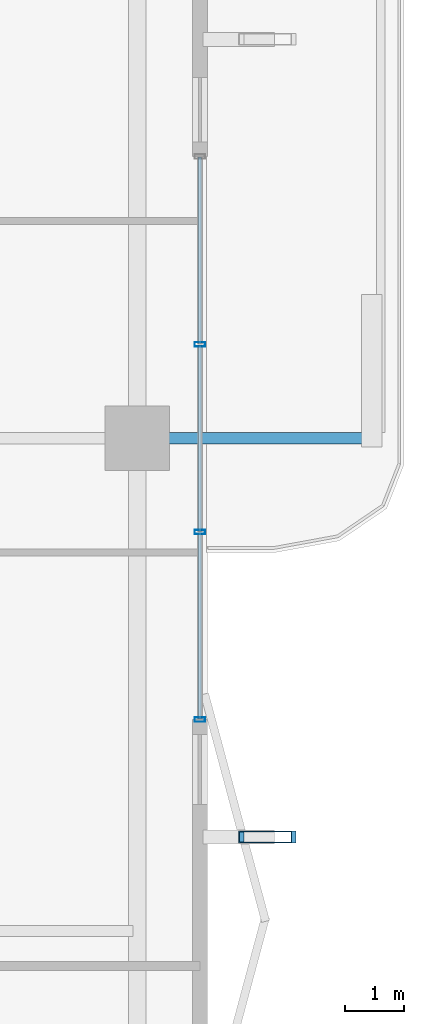
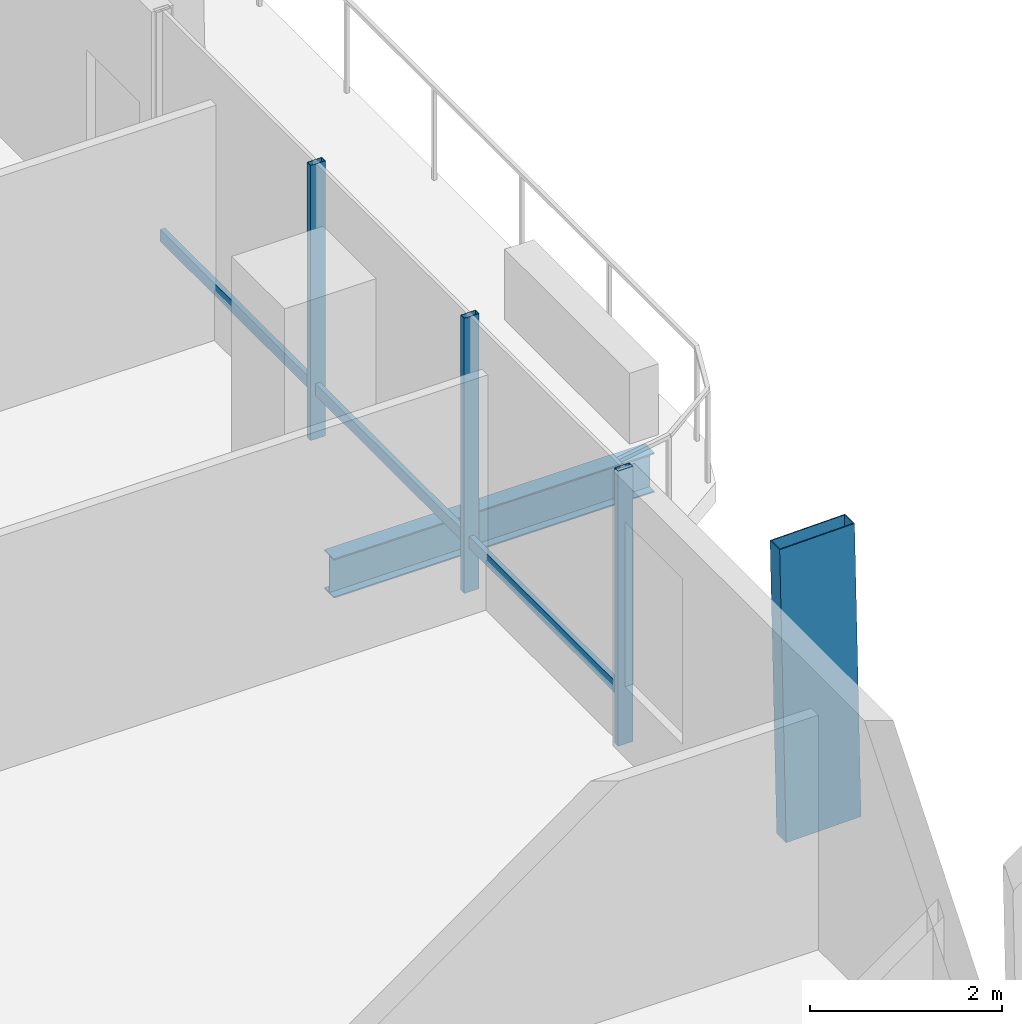
# One storey, part 10 of 24: 7 members, 1 beam, 1 element without a shape of its own.
"""IFC4 building model written with IfcOpenShell, lengths in metres."""

import ifcopenshell
import ifcopenshell.guid

model = None  # the IFC model being written
_history = None  # IfcOwnerHistory: only IFC2X3 demands one
_inside = {}  # id of a spatial element -> (the spatial element, [elements in it])
_under = {}  # id of a project, library or spatial element -> (it, [spatial elements below it])
_declared = {}  # id of a project -> (the project, [libraries it declares])
_typed = {}  # id of a type object -> (the type object, [elements of that type])
_made_of = {}  # id of a material, layer set ... -> (it, [elements and type objects made of it])


def new_model(schema):
    """Start an empty IFC model of exactly this schema.

    Asked for "IFC4X3", IfcOpenShell would pick the latest addendum, in which some entities
    have other attributes; the version numbers below select the first issue.
    IFC2X3 requires an IfcOwnerHistory on every rooted entity: one is made here for all.
    """
    global model, _history
    if schema == "IFC4X3":
        model = ifcopenshell.file(schema_version=(4, 3, 0, 0))
    else:
        model = ifcopenshell.file(schema=schema)
    _inside.clear()
    _under.clear()
    _declared.clear()
    _typed.clear()
    _made_of.clear()
    _history = None
    if model.schema == "IFC2X3":
        org = make("IfcOrganization", Name="unknown")
        user = make(
            "IfcPersonAndOrganization",
            ThePerson=make("IfcPerson", FamilyName="unknown"),
            TheOrganization=org,
        )
        app = make(
            "IfcApplication",
            ApplicationDeveloper=org,
            Version="unknown",
            ApplicationFullName="unknown",
            ApplicationIdentifier="unknown",
        )
        _history = make(
            "IfcOwnerHistory",
            OwningUser=user,
            OwningApplication=app,
            ChangeAction="ADDED",
            CreationDate=0,
        )
    return model


def make(cls, **values):
    """One entity of the class cls with the attributes given. An attribute that is None is left unset."""
    return model.create_entity(
        cls, **{name: value for name, value in values.items() if value is not None}
    )


def rooted(cls, **values):
    """An entity with a GlobalId (a new one), such as an element, a storey or a relation."""
    return make(cls, GlobalId=ifcopenshell.guid.new(), OwnerHistory=_history, **values)


def si_unit(unit_type, name, prefix=None):
    """IfcSIUnit, for example si_unit("LENGTHUNIT", "METRE", prefix="MILLI")."""
    return make("IfcSIUnit", UnitType=unit_type, Prefix=prefix, Name=name)


def assignment(units):
    """IfcUnitAssignment: the units of a project."""
    return None if units is None else make("IfcUnitAssignment", Units=units)


def point(xyz):
    """IfcCartesianPoint."""
    return None if xyz is None else make("IfcCartesianPoint", Coordinates=xyz)


def direction(xyz):
    """IfcDirection."""
    return None if xyz is None else make("IfcDirection", DirectionRatios=xyz)


def frame(location, z_axis=None, x_axis=None):
    """IfcAxis2Placement3D, a coordinate frame: its origin and axes. An axis left out is left unset."""
    return make(
        "IfcAxis2Placement3D",
        Location=point(location),
        Axis=direction(z_axis),
        RefDirection=direction(x_axis),
    )


def frame_2d(location, x_axis=None):
    """IfcAxis2Placement2D, a coordinate frame in the plane: its origin and x axis."""
    return make(
        "IfcAxis2Placement2D", Location=point(location), RefDirection=direction(x_axis)
    )


def origin():
    """The frame at (0, 0, 0) with its axes left unset."""
    return frame((0.0, 0.0, 0.0))


def origin_2d():
    """The frame at (0, 0) in the plane with its x axis left unset."""
    return frame_2d((0.0, 0.0))


def place(relative_to, where):
    """IfcLocalPlacement: puts the frame where relative to a parent placement (None: the world)."""
    return make(
        "IfcLocalPlacement", PlacementRelTo=relative_to, RelativePlacement=where
    )


def context(
    kind, dimensions, precision=None, world=None, true_north=None, identifier=None
):
    """IfcGeometricRepresentationContext, for example the 3D "Model" context."""
    return make(
        "IfcGeometricRepresentationContext",
        ContextIdentifier=identifier,
        ContextType=kind,
        CoordinateSpaceDimension=dimensions,
        Precision=precision,
        WorldCoordinateSystem=world,
        TrueNorth=true_north,
    )


def subcontext(parent, identifier, kind, view, scale=None):
    """IfcGeometricRepresentationSubContext, for example "Body" below "Model"."""
    return make(
        "IfcGeometricRepresentationSubContext",
        ContextIdentifier=identifier,
        ContextType=kind,
        ParentContext=parent,
        TargetScale=scale,
        TargetView=view,
    )


def project(units=None, contexts=None):
    """IfcProject with its units and contexts."""
    return rooted(
        "IfcProject",
        Name="project",
        RepresentationContexts=contexts,
        UnitsInContext=assignment(units),
    )


def spatial(cls, under=None, at=None, **own):
    """A site, building, storey or space (cls), placed at a placement, below another one or the project."""
    s = rooted(cls, ObjectPlacement=at, **own)
    if under is not None:
        _under.setdefault(under.id(), (under, []))[1].append(s)
    return s


def profile(cls, at=None, kind="AREA", **sizes):
    """A parametric profile (cls). Its sizes go by their IFC names, for example OverallWidth=200.0."""
    return make(cls, ProfileType=kind, Position=at, **sizes)


def hollow_rectangle(**sizes):
    """IfcRectangleHollowProfileDef."""
    return profile("IfcRectangleHollowProfileDef", **sizes)


def i_section(**sizes):
    """IfcIShapeProfileDef."""
    return profile("IfcIShapeProfileDef", **sizes)


def extrude(swept, where, along, depth):
    """IfcExtrudedAreaSolid: the profile swept, set in the frame where, extruded along a direction by depth."""
    return make(
        "IfcExtrudedAreaSolid",
        SweptArea=swept,
        Position=where,
        ExtrudedDirection=direction(along),
        Depth=depth,
    )


def shape(context_of_items, identifier, shape_type, items):
    """IfcShapeRepresentation: the items that make up one representation, for example the "Body"."""
    return make(
        "IfcShapeRepresentation",
        ContextOfItems=context_of_items,
        RepresentationIdentifier=identifier,
        RepresentationType=shape_type,
        Items=items,
    )


def material(Name=None, Category=None):
    """IfcMaterial."""
    return make("IfcMaterial", Name=Name, Category=Category)


def layer(
    of_material, thickness, ventilated=None, Name=None, Category=None, Priority=None
):
    """IfcMaterialLayer: one layer of a wall or slab, of a material (None: an air gap)."""
    return make(
        "IfcMaterialLayer",
        Material=of_material,
        LayerThickness=thickness,
        IsVentilated=ventilated,
        Name=Name,
        Category=Category,
        Priority=Priority,
    )


def layer_set(layers, Name=None):
    """IfcMaterialLayerSet."""
    return make("IfcMaterialLayerSet", MaterialLayers=layers, LayerSetName=Name)


def material_profile(
    of_material, cross_section, Name=None, Category=None, Priority=None
):
    """IfcMaterialProfile: a cross section and its material."""
    return make(
        "IfcMaterialProfile",
        Name=Name,
        Material=of_material,
        Profile=cross_section,
        Priority=Priority,
        Category=Category,
    )


def profile_set(profiles, Name=None, composite=None):
    """IfcMaterialProfileSet."""
    return make(
        "IfcMaterialProfileSet",
        Name=Name,
        MaterialProfiles=profiles,
        CompositeProfile=composite,
    )


def made_of(thing, what):
    """Note that an element or type object is made of a material, layer set ...; save() writes the relation."""
    if what is not None:
        _made_of.setdefault(what.id(), (what, []))[1].append(thing)
    return thing


def type_object(cls, material=None, **own):
    """A type object (cls), such as IfcWallType, which elements share."""
    return made_of(rooted(cls, **own), material)


def element(
    cls,
    number,
    at=None,
    inside=None,
    cuts=None,
    type_object=None,
    material=None,
    context=None,
    identifier="Body",
    shape_type=None,
    held_by="IfcProductDefinitionShape",
    body=None,
    shapes=None,
    **own,
):
    """One element of the class cls, such as IfcWall. Its Tag is "e" and its number.

    at: its placement. inside: the storey or other place that contains it. cuts: it is an
    opening in that element (IfcRelVoidsElement). A single representation is given by context,
    identifier, shape_type and body (its items); several are given by shapes. held_by: the class
    of the entity that holds the representations. save() writes the other relations.
    """
    e = rooted(cls, Tag="e%d" % number, ObjectPlacement=at, **own)
    if body is not None:
        shapes = [shape(context, identifier, shape_type, body)]
    if shapes is not None:
        e.Representation = make(held_by, Representations=shapes)
    if inside is not None:
        _inside.setdefault(inside.id(), (inside, []))[1].append(e)
    if cuts is not None:
        rooted(
            "IfcRelVoidsElement", RelatingBuildingElement=cuts, RelatedOpeningElement=e
        )
    if type_object is not None:
        _typed.setdefault(type_object.id(), (type_object, []))[1].append(e)
    return made_of(e, material)


def aggregate(whole, parts):
    """IfcRelAggregates: a whole, such as a stair, and the parts it consists of."""
    return rooted("IfcRelAggregates", RelatingObject=whole, RelatedObjects=parts)


def save(model, path):
    """Write the relations noted so far, then the file.

    IfcRelAggregates (storeys below a building ...), IfcRelContainedInSpatialStructure (elements
    in a storey), IfcRelDefinesByType, IfcRelAssociatesMaterial and IfcRelDeclares: one each for
    every whole, place, type object, material and project.
    """
    for whole, parts in _under.values():
        aggregate(whole, parts)
    for where, things in _inside.values():
        rooted(
            "IfcRelContainedInSpatialStructure",
            RelatedElements=things,
            RelatingStructure=where,
        )
    for kind, things in _typed.values():
        rooted("IfcRelDefinesByType", RelatedObjects=things, RelatingType=kind)
    for what, things in _made_of.values():
        rooted("IfcRelAssociatesMaterial", RelatedObjects=things, RelatingMaterial=what)
    for by, libraries in _declared.values():
        rooted("IfcRelDeclares", RelatingContext=by, RelatedDefinitions=libraries)
    model.write(path)


model = new_model("IFC4")

# Units and contexts
model_context = context("Model", 3, precision=1e-05, world=origin(), true_north=direction((0.0, 1.0)))
body_context = subcontext(model_context, "Body", "Model", "MODEL_VIEW")
ifc_project = project(units=[si_unit("LENGTHUNIT", "METRE"), si_unit("AREAUNIT", "SQUARE_METRE"), si_unit("VOLUMEUNIT", "CUBIC_METRE"), si_unit("PLANEANGLEUNIT", "RADIAN"), si_unit("MASSUNIT", "GRAM", prefix="KILO")], contexts=[model_context])

# Site, building, storey
site_placement = place(None, origin())
site = spatial("IfcSite", under=ifc_project, at=site_placement, CompositionType="ELEMENT")
building_placement = place(site_placement, origin())
building = spatial("IfcBuilding", under=site, at=building_placement, Name="Belovzor Exchange Tower", CompositionType="ELEMENT")
storey_placement = place(building_placement, frame((0.0, 0.0, 168.300048828125)))
storey = spatial("IfcBuildingStorey", under=building, at=storey_placement, Name="L41", CompositionType="ELEMENT", Elevation=168.300048828125)

# Beam
ifc_material_1 = material(Name="Steel S355", Category="steel")
ifc_material_profile_1 = material_profile(ifc_material_1, i_section(OverallWidth=0.199951171875, OverallDepth=0.5, WebThickness=0.01025390625, FlangeThickness=0.01611328125, at=origin_2d()))
ifc_profile_set_1 = profile_set([ifc_material_profile_1], Name="Steel S355")
beam_type = type_object("IfcBeamType", Name="Planted Balcony Cantilever Beam IPE 500", PredefinedType="BEAM", material=ifc_profile_set_1)
beam_placement = place(storey_placement, frame((52.202880859375, 28.800048828125, -0.505126953125), z_axis=(1.0, 0.0, 0.0), x_axis=(0.0, 1.0, 0.0)))
element("IfcBeam", 1, at=beam_placement, inside=storey, type_object=beam_type, Name="BC-500 Planted Balcony Cantilever Beam IPE 500", PredefinedType="BEAM", context=body_context, shape_type="SweptSolid", body=[
    extrude(i_section(OverallWidth=0.199951171875, OverallDepth=0.5, WebThickness=0.01025390625, FlangeThickness=0.01611328125, at=origin_2d()), origin(), (0.0, 0.0, 1.0), 3.85009765625),
])

# Member
ifc_material_2 = material(Name="Extruded Architectural Terracotta on Steel S355 Carrier", Category="masonry")
ifc_material_profile_2 = material_profile(ifc_material_2, hollow_rectangle(XDim=0.199951171875, YDim=0.89990234375, WallThickness=0.011962890625, at=origin_2d()))
ifc_profile_set_2 = profile_set([ifc_material_profile_2], Name="Extruded Architectural Terracotta on Steel S355 Carrier")
member_type_1 = type_object("IfcMemberType", Name="Sweeping Terracotta Baguette Fin Assembly 1250", PredefinedType="USERDEFINED", material=ifc_profile_set_2)
member_1_placement = place(storey_placement, frame((54.159912109375, 22.0, -0.255126953125), z_axis=(-0.0210239979, 0.0, 0.999778971329), x_axis=(0.0, -1.0, 0.0)))
element("IfcMember", 2, at=member_1_placement, inside=storey, type_object=member_type_1, Name="FIN-TC125 Terracotta Facade Fin L41 E2", ObjectType="FIN", PredefinedType="USERDEFINED", context=body_context, shape_type="SweptSolid", body=[
    extrude(hollow_rectangle(XDim=0.199951171875, YDim=0.89990234375, WallThickness=0.011962890625, at=origin_2d()), origin(), (0.0, 0.0, 1.0), 3.750732421875),
])

# Curtain wall, members
ifc_material_3 = material(Name="Anodised Aluminium Framing", Category="aluminium")
ifc_layer = layer(ifc_material_3, 0.179931640625)
ifc_layer_set = layer_set([ifc_layer], Name="Anodised Aluminium Framing")
curtain_wall_type = type_object("IfcCurtainWallType", Name="Recessed Loggia Low-Iron Triple-Glazed Curtain Wall", PredefinedType="NOTDEFINED", material=ifc_layer_set)
curtain_wall_placement = place(storey_placement, origin())
curtain_wall = element("IfcCurtainWall", 3, at=curtain_wall_placement, inside=storey, type_object=curtain_wall_type, Name="CW3 Recessed Loggia Low-Iron Triple-Glazed Curtain Wall L41", PredefinedType="NOTDEFINED")
ifc_material_4 = material(Name="Steel S355", Category="steel")
ifc_material_profile_3 = material_profile(ifc_material_4, hollow_rectangle(XDim=0.074951171875, YDim=0.179931640625, WallThickness=0.0048828125, at=origin_2d()))
ifc_profile_set_3 = profile_set([ifc_material_profile_3], Name="Steel S355")
member_type_2 = type_object("IfcMemberType", Name="Thermally Broken Curtain Wall Mullion 180x75", PredefinedType="MULLION", material=ifc_profile_set_3)
member_2_placement = place(storey_placement, frame((52.969970703125, 30.39990234375, 0.0), z_axis=(0.0, 0.0, 1.0), x_axis=(0.0, -1.0, 0.0)))
member_2 = element("IfcMember", 4, at=member_2_placement, type_object=member_type_2, Name="CW-M180 Curtain Wall Mullion 2", PredefinedType="MULLION", context=body_context, shape_type="SweptSolid", body=[
    extrude(hollow_rectangle(XDim=0.074951171875, YDim=0.179931640625, WallThickness=0.0048828125, at=origin_2d()), origin(), (0.0, 0.0, 1.0), 3.494873046875),
])
member_3_placement = place(storey_placement, frame((52.969970703125, 27.199951171875, 0.0), z_axis=(0.0, 0.0, 1.0), x_axis=(0.0, -1.0, 0.0)))
member_3 = element("IfcMember", 5, at=member_3_placement, type_object=member_type_2, Name="CW-M180 Curtain Wall Mullion 3", PredefinedType="MULLION", context=body_context, shape_type="SweptSolid", body=[
    extrude(hollow_rectangle(XDim=0.074951171875, YDim=0.179931640625, WallThickness=0.0048828125, at=origin_2d()), origin(), (0.0, 0.0, 1.0), 3.494873046875),
])
member_4_placement = place(storey_placement, frame((52.969970703125, 24.0, 0.0), z_axis=(0.0, 0.0, 1.0), x_axis=(0.0, -1.0, 0.0)))
member_4 = element("IfcMember", 6, at=member_4_placement, type_object=member_type_2, Name="CW-M180 Curtain Wall Mullion 4", PredefinedType="MULLION", context=body_context, shape_type="SweptSolid", body=[
    extrude(hollow_rectangle(XDim=0.074951171875, YDim=0.179931640625, WallThickness=0.0048828125, at=origin_2d()), origin(), (0.0, 0.0, 1.0), 3.494873046875),
])
ifc_material_5 = material(Name="Steel S355", Category="steel")
ifc_material_profile_4 = material_profile(ifc_material_5, hollow_rectangle(XDim=0.06005859375, YDim=0.14990234375, WallThickness=0.00390625, at=origin_2d()))
ifc_profile_set_4 = profile_set([ifc_material_profile_4], Name="Steel S355")
member_type_3 = type_object("IfcMemberType", Name="Thermally Broken Curtain Wall Transom 150x60", PredefinedType="USERDEFINED", material=ifc_profile_set_4)
member_5_placement = place(storey_placement, frame((52.969970703125, 33.592041015625, 0.62890625), z_axis=(0.0, -1.0, 0.0), x_axis=(1.0, 0.0, 0.0)))
member_5 = element("IfcMember", 7, at=member_5_placement, type_object=member_type_3, Name="CW-T150 Curtain Wall Transom 1", ObjectType="TRANSOM", PredefinedType="USERDEFINED", context=body_context, shape_type="SweptSolid", body=[
    extrude(hollow_rectangle(XDim=0.06005859375, YDim=0.14990234375, WallThickness=0.00390625, at=origin_2d()), origin(), (0.0, 0.0, 1.0), 3.18408203125),
])
member_6_placement = place(storey_placement, frame((52.969970703125, 30.39208984375, 0.62890625), z_axis=(0.0, -1.0, 0.0), x_axis=(1.0, 0.0, 0.0)))
member_6 = element("IfcMember", 8, at=member_6_placement, type_object=member_type_3, Name="CW-T150 Curtain Wall Transom 2", ObjectType="TRANSOM", PredefinedType="USERDEFINED", context=body_context, shape_type="SweptSolid", body=[
    extrude(hollow_rectangle(XDim=0.06005859375, YDim=0.14990234375, WallThickness=0.00390625, at=origin_2d()), origin(), (0.0, 0.0, 1.0), 3.18408203125),
])
member_7_placement = place(storey_placement, frame((52.969970703125, 27.19189453125, 0.62890625), z_axis=(0.0, -1.0, 0.0), x_axis=(1.0, 0.0, 0.0)))
member_7 = element("IfcMember", 9, at=member_7_placement, type_object=member_type_3, Name="CW-T150 Curtain Wall Transom 3", ObjectType="TRANSOM", PredefinedType="USERDEFINED", context=body_context, shape_type="SweptSolid", body=[
    extrude(hollow_rectangle(XDim=0.06005859375, YDim=0.14990234375, WallThickness=0.00390625, at=origin_2d()), origin(), (0.0, 0.0, 1.0), 3.183837890625),
])
aggregate(curtain_wall, [member_2, member_3, member_4, member_5, member_6, member_7])

save(model, "model.ifc")
